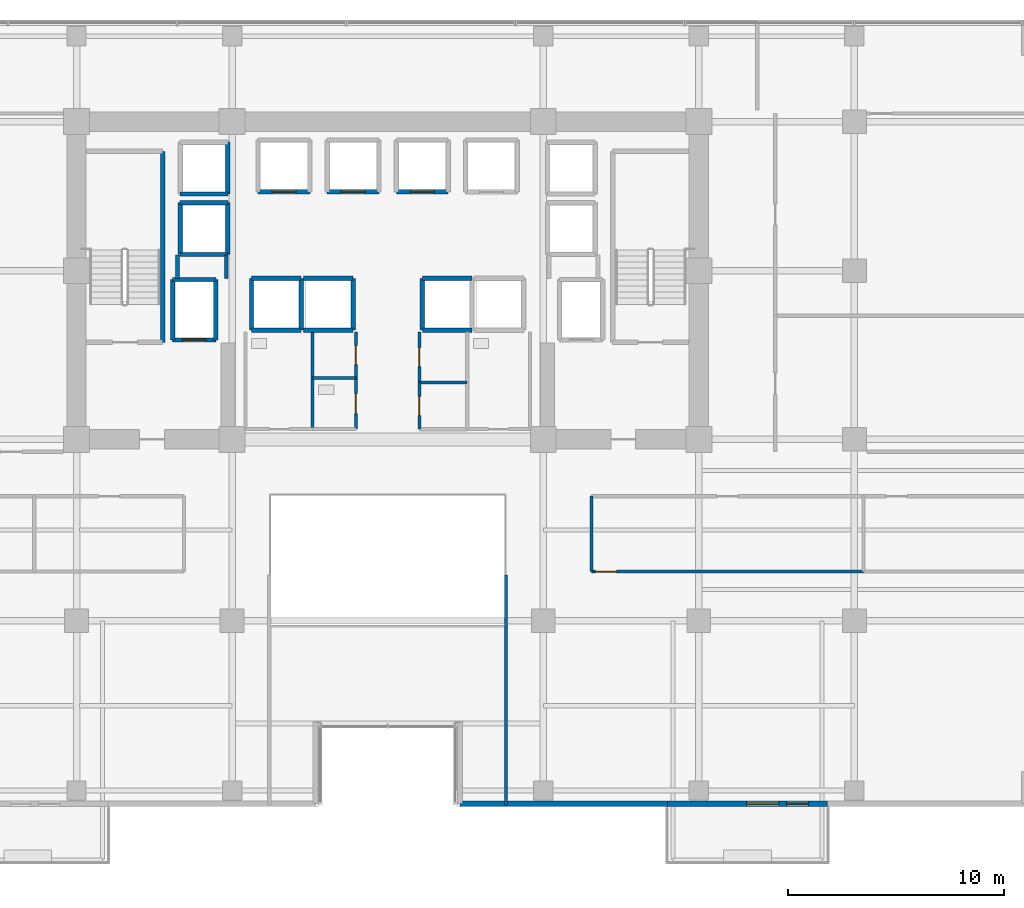
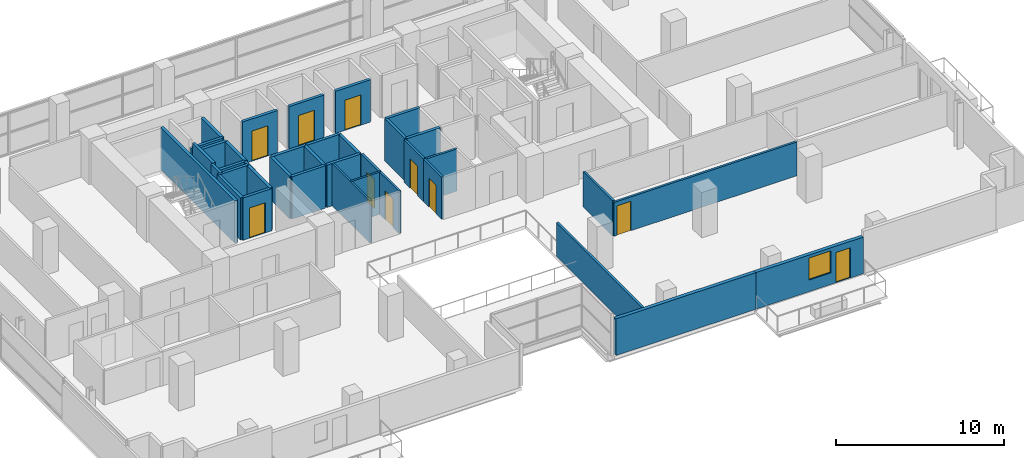
# One storey, part 20 of 26: 38 walls, 10 doors, 1 window, 11 openings.
"""IFC4 building model written with IfcOpenShell, lengths in metres."""

from ifc_helpers import new_model, si_unit, direction, frame, frame_2d, origin, place, context, subcontext, project, spatial, rectangle, extrude, source, transform, mapped, material, layer, layer_set, type_object, element, fill, save


model = new_model("IFC4")

# Units and contexts
model_context = context("Model", 3, precision=1e-05, world=origin(), true_north=direction((0.0, 1.0)))
body_context = subcontext(model_context, "Body", "Model", "MODEL_VIEW")
ifc_project = project(units=[si_unit("LENGTHUNIT", "METRE"), si_unit("AREAUNIT", "SQUARE_METRE"), si_unit("VOLUMEUNIT", "CUBIC_METRE"), si_unit("PLANEANGLEUNIT", "RADIAN"), si_unit("MASSUNIT", "GRAM", prefix="KILO")], contexts=[model_context])

# Site, building, storey
site_placement = place(None, origin())
site = spatial("IfcSite", under=ifc_project, at=site_placement, CompositionType="ELEMENT")
building_placement = place(site_placement, origin())
building = spatial("IfcBuilding", under=site, at=building_placement, Name="Zarnakvel Exchange Tower", CompositionType="ELEMENT")
storey_placement = place(building_placement, frame((0.0, 0.0, 70.300048828125)))
storey = spatial("IfcBuildingStorey", under=building, at=storey_placement, Name="L19", CompositionType="ELEMENT", Elevation=70.300048828125)

# Wall, openings, door, window
ifc_material_1 = material(Name="Precast concrete C40/50", Category="concrete")
ifc_layer_1 = layer(ifc_material_1, 0.239990234375)
ifc_layer_set_1 = layer_set([ifc_layer_1], Name="Precast concrete C40/50")
wall_type_1 = type_object("IfcWallType", Name="EW-02", PredefinedType="SOLIDWALL", material=ifc_layer_set_1)
wall_1_placement = place(storey_placement, frame((20.35009765625, -18.06005859375, 0.0), z_axis=(0.0, 0.0, 1.0), x_axis=(-1.0, 0.0, 0.0)))
wall_1 = element("IfcWall", 1, at=wall_1_placement, inside=storey, type_object=wall_type_1, Name="L19 Exterior Precast Spandrel Wall EW-BAL-L19-SE (EW-02)", PredefinedType="SOLIDWALL", context=body_context, shape_type="SweptSolid", body=[
    extrude(rectangle(XDim=7.400146484375, YDim=0.239990234375, at=frame_2d((3.7001953125, 0.0))), origin(), (0.0, 0.0, 1.0), 2.6650390625),
])
opening_1_placement = place(wall_1_placement, frame((0.887939453125, 0.0, 0.0)))
opening_1 = element("IfcOpeningElement", 2, at=opening_1_placement, cuts=wall_1, Name="Opening BD-L19-02", PredefinedType="OPENING", context=body_context, shape_type="SweptSolid", body=[
    extrude(rectangle(XDim=1.0, YDim=2.199951171875, at=frame_2d((0.5, 1.10009765625))), frame((0.0, 0.1298828125, 0.0), z_axis=(0.0, -1.0, 0.0), x_axis=(1.0, 0.0, 0.0)), (0.0, 0.0, 1.0), 0.260009765625),
])
opening_2_placement = place(wall_1_placement, frame((2.238037109375, 0.0, 0.85009765625)))
opening_2 = element("IfcOpeningElement", 3, at=opening_2_placement, cuts=wall_1, Name="Opening WN-03", PredefinedType="OPENING", context=body_context, shape_type="SweptSolid", body=[
    extrude(rectangle(XDim=1.5, YDim=1.60009765625, at=frame_2d((0.75, 0.800048828125))), frame((0.0, 0.1298828125, 0.0), z_axis=(0.0, -1.0, 0.0), x_axis=(1.0, 0.0, 0.0)), (0.0, 0.0, 1.0), 0.260009765625),
])
ifc_material_2 = material(Name="Architectural Bronze Anodised Aluminium", Category="aluminium")
door_type_1 = type_object("IfcDoorType", Name="DT-09", OperationType="NOTDEFINED", PredefinedType="DOOR", material=ifc_material_2)
shared_shape_1 = source(origin(), body_context, "Body", "SweptSolid", [
    extrude(rectangle(XDim=1.0, YDim=2.199951171875, at=frame_2d((0.5, 1.10009765625))), frame((0.0, 0.02490234375, 0.0), z_axis=(0.0, -1.0, 0.0), x_axis=(1.0, 0.0, 0.0)), (0.0, 0.0, 1.0), 0.050048828125),
])
door_1_placement = place(opening_1_placement, origin())
door_1 = element("IfcDoor", 4, at=door_1_placement, inside=storey, type_object=door_type_1, Name="L19 Planted Loggia Balcony Door BD-L19-02", OperationType="SINGLE_SWING_RIGHT", OverallHeight=2.199951171875, OverallWidth=1.0, PredefinedType="DOOR", context=body_context, shape_type="MappedRepresentation", body=[
    mapped(shared_shape_1, transform((0.0, 0.0, 0.0), x_axis=(1.0, 0.0, 0.0), y_axis=(0.0, 1.0, 0.0), z_axis=(0.0, 0.0, 1.0), scale=1.0)),
])
fill(opening_1, door_1)
ifc_material_3 = material(Name="Double Low-E Laminated Vision Glass", Category="glass")
window_type = type_object("IfcWindowType", Name="WN-03", PartitioningType="SINGLE_PANEL", PredefinedType="WINDOW", material=ifc_material_3)
shared_shape_2 = source(origin(), body_context, "Body", "SweptSolid", [
    extrude(rectangle(XDim=1.5, YDim=1.60009765625, at=frame_2d((0.75, 0.800048828125))), frame((0.0, 0.030029296875, 0.0), z_axis=(0.0, -1.0, 0.0), x_axis=(1.0, 0.0, 0.0)), (0.0, 0.0, 1.0), 0.06005859375),
])
window_placement = place(opening_2_placement, origin())
window = element("IfcWindow", 5, at=window_placement, inside=storey, type_object=window_type, Name="L19 Loggia Daylight Window (WN-03)", OverallHeight=1.60009765625, OverallWidth=1.5, PartitioningType="SINGLE_PANEL", PredefinedType="WINDOW", context=body_context, shape_type="MappedRepresentation", body=[
    mapped(shared_shape_2, transform((0.0, 0.0, 0.0), x_axis=(1.0, 0.0, 0.0), y_axis=(0.0, 1.0, 0.0), z_axis=(0.0, 0.0, 1.0), scale=1.0)),
])
fill(opening_2, window)

# Wall
wall_2_placement = place(storey_placement, frame((3.340087890625, -18.06005859375, 0.0), z_axis=(0.0, 0.0, 1.0), x_axis=(1.0, 0.0, 0.0)))
element("IfcWall", 6, at=wall_2_placement, inside=storey, type_object=wall_type_1, Name="L19 Exterior Precast Spandrel Wall EWC-L19-16 (EW-02)", PredefinedType="SOLIDWALL", context=body_context, shape_type="SweptSolid", body=[
    extrude(rectangle(XDim=9.60986328125, YDim=0.239990234375, at=frame_2d((4.804931640625, 0.0))), origin(), (0.0, 0.0, 1.0), 2.6650390625),
])

# Wall, opening, door
ifc_material_4 = material(Name="Fire-Rated Gypsum Stud Partition", Category="gypsum")
ifc_layer_2 = layer(ifc_material_4, 0.14990234375)
ifc_layer_set_2 = layer_set([ifc_layer_2], Name="Fire-Rated Gypsum Stud Partition")
wall_type_2 = type_object("IfcWallType", Name="PT-01", PredefinedType="PARTITIONING", material=ifc_layer_set_2)
wall_3_placement = place(storey_placement, frame((-1.469970703125, 3.760009765625, 0.0), z_axis=(0.0, 0.0, 1.0), x_axis=(0.0, -1.0, 0.0)))
wall_3 = element("IfcWall", 7, at=wall_3_placement, inside=storey, type_object=wall_type_2, Name="L19 Partition Wall PWALL-L19-017 (PT-01)", PredefinedType="PARTITIONING", context=body_context, shape_type="SweptSolid", body=[
    extrude(rectangle(XDim=2.130126953125, YDim=0.14990234375, at=frame_2d((1.06494140625, 0.0))), origin(), (0.0, 0.0, 1.0), 3.074951171875),
])
opening_3_placement = place(wall_3_placement, frame((0.6201171875, 0.0, 0.0)))
opening_3 = element("IfcOpeningElement", 8, at=opening_3_placement, cuts=wall_3, Name="Opening D-L19-07", PredefinedType="OPENING", context=body_context, shape_type="SweptSolid", body=[
    extrude(rectangle(XDim=0.8798828125, YDim=2.10009765625, at=frame_2d((0.43994140625, 1.050048828125))), frame((0.0, 0.0849609375, 0.0), z_axis=(0.0, -1.0, 0.0), x_axis=(1.0, 0.0, 0.0)), (0.0, 0.0, 1.0), 0.169921875),
])
ifc_material_5 = material(Name="Painted Galvanised Steel S355", Category="steel")
door_type_2 = type_object("IfcDoorType", Name="DT-08", OperationType="NOTDEFINED", PredefinedType="DOOR", material=ifc_material_5)
shared_shape_3 = source(origin(), body_context, "Body", "SweptSolid", [
    extrude(rectangle(XDim=0.8798828125, YDim=2.10009765625, at=frame_2d((0.43994140625, 1.050048828125))), frame((0.0, 0.02490234375, 0.0), z_axis=(0.0, -1.0, 0.0), x_axis=(1.0, 0.0, 0.0)), (0.0, 0.0, 1.0), 0.050048828125),
])
door_2_placement = place(opening_3_placement, origin())
door_2 = element("IfcDoor", 9, at=door_2_placement, inside=storey, type_object=door_type_2, Name="L19 Core Comms Room Door D-L19-07", OperationType="SINGLE_SWING_LEFT", OverallHeight=2.10009765625, OverallWidth=0.8798828125, PredefinedType="DOOR", context=body_context, shape_type="MappedRepresentation", body=[
    mapped(shared_shape_3, transform((0.0, 0.0, 0.0), x_axis=(1.0, 0.0, 0.0), y_axis=(0.0, 1.0, 0.0), z_axis=(0.0, 0.0, 1.0), scale=1.0)),
])
fill(opening_3, door_2)

# Wall
wall_4_placement = place(storey_placement, frame((1.469970703125, 1.429931640625, 0.0), z_axis=(0.0, 0.0, 1.0), x_axis=(1.0, 0.0, 0.0)))
element("IfcWall", 10, at=wall_4_placement, inside=storey, type_object=wall_type_2, Name="L19 Partition Wall PWALL-L19-019 (PT-01)", PredefinedType="PARTITIONING", context=body_context, shape_type="SweptSolid", body=[
    extrude(rectangle(XDim=2.2099609375, YDim=0.14990234375, at=frame_2d((1.10498046875, 0.0))), origin(), (0.0, 0.0, 1.0), 3.074951171875),
])

# Wall, opening, door
wall_5_placement = place(storey_placement, frame((1.469970703125, -0.72998046875, 0.0), z_axis=(0.0, 0.0, 1.0), x_axis=(0.0, 1.0, 0.0)))
wall_5 = element("IfcWall", 11, at=wall_5_placement, inside=storey, type_object=wall_type_2, Name="L19 Partition Wall PWALL-L19-020 (PT-01)", PredefinedType="PARTITIONING", context=body_context, shape_type="SweptSolid", body=[
    extrude(rectangle(XDim=2.159912109375, YDim=0.14990234375, at=frame_2d((1.080078125, 0.0))), origin(), (0.0, 0.0, 1.0), 3.074951171875),
])
opening_4_placement = place(wall_5_placement, frame((0.639892578125, 0.0, 0.0)))
opening_4 = element("IfcOpeningElement", 12, at=opening_4_placement, cuts=wall_5, Name="Opening D-L19-08", PredefinedType="OPENING", context=body_context, shape_type="SweptSolid", body=[
    extrude(rectangle(XDim=0.8798828125, YDim=2.10009765625, at=frame_2d((0.43994140625, 1.050048828125))), frame((0.0, 0.0849609375, 0.0), z_axis=(0.0, -1.0, 0.0), x_axis=(1.0, 0.0, 0.0)), (0.0, 0.0, 1.0), 0.169921875),
])
door_3_placement = place(opening_4_placement, origin())
door_3 = element("IfcDoor", 13, at=door_3_placement, inside=storey, type_object=door_type_2, Name="L19 Janitor Store Door D-L19-08", OperationType="SINGLE_SWING_RIGHT", OverallHeight=2.10009765625, OverallWidth=0.8798828125, PredefinedType="DOOR", context=body_context, shape_type="MappedRepresentation", body=[
    mapped(shared_shape_3, transform((0.0, 0.0, 0.0), x_axis=(1.0, 0.0, 0.0), y_axis=(0.0, 1.0, 0.0), z_axis=(0.0, 0.0, 1.0), scale=1.0)),
])
fill(opening_4, door_3)

wall_6_placement = place(storey_placement, frame((1.469970703125, 1.429931640625, 0.0), z_axis=(0.0, 0.0, 1.0), x_axis=(0.0, 1.0, 0.0)))
wall_6 = element("IfcWall", 14, at=wall_6_placement, inside=storey, type_object=wall_type_2, Name="L19 Partition Wall PWALL-L19-022 (PT-01)", PredefinedType="PARTITIONING", context=body_context, shape_type="SweptSolid", body=[
    extrude(rectangle(XDim=2.330078125, YDim=0.14990234375, at=frame_2d((1.1650390625, 0.0))), origin(), (0.0, 0.0, 1.0), 3.074951171875),
])
opening_5_placement = place(wall_6_placement, frame((0.72998046875, 0.0, 0.0)))
opening_5 = element("IfcOpeningElement", 15, at=opening_5_placement, cuts=wall_6, Name="Opening D-L19-09", PredefinedType="OPENING", context=body_context, shape_type="SweptSolid", body=[
    extrude(rectangle(XDim=0.8798828125, YDim=2.14990234375, at=frame_2d((0.43994140625, 1.074951171875))), frame((0.0, 0.0849609375, 0.0), z_axis=(0.0, -1.0, 0.0), x_axis=(1.0, 0.0, 0.0)), (0.0, 0.0, 1.0), 0.169921875),
])
ifc_material_6 = material(Name="Timber Acoustic Veneer", Category="wood")
door_type_3 = type_object("IfcDoorType", Name="DT-05", OperationType="NOTDEFINED", PredefinedType="DOOR", material=ifc_material_6)
shared_shape_4 = source(origin(), body_context, "Body", "SweptSolid", [
    extrude(rectangle(XDim=0.8798828125, YDim=2.14990234375, at=frame_2d((0.43994140625, 1.074951171875))), frame((0.0, 0.02490234375, 0.0), z_axis=(0.0, -1.0, 0.0), x_axis=(1.0, 0.0, 0.0)), (0.0, 0.0, 1.0), 0.050048828125),
])
door_4_placement = place(opening_5_placement, origin())
door_4 = element("IfcDoor", 16, at=door_4_placement, inside=storey, type_object=door_type_3, Name="L19 Stationery Store Door D-L19-09", OperationType="SINGLE_SWING_LEFT", OverallHeight=2.14990234375, OverallWidth=0.8798828125, PredefinedType="DOOR", context=body_context, shape_type="MappedRepresentation", body=[
    mapped(shared_shape_4, transform((0.0, 0.0, 0.0), x_axis=(1.0, 0.0, 0.0), y_axis=(0.0, 1.0, 0.0), z_axis=(0.0, 0.0, 1.0), scale=1.0)),
])
fill(opening_5, door_4)

wall_7_placement = place(storey_placement, frame((22.015380859375, -7.320068359375, 0.0), z_axis=(0.0, 0.0, 1.0), x_axis=(-1.0, 0.0, 0.0)))
wall_7 = element("IfcWall", 17, at=wall_7_placement, inside=storey, type_object=wall_type_2, Name="L19 Partition Wall PWALL-L19-039 (PT-01)", PredefinedType="PARTITIONING", context=body_context, shape_type="SweptSolid", body=[
    extrude(rectangle(XDim=12.58544921875, YDim=0.14990234375, at=frame_2d((6.292724609375, 0.0))), origin(), (0.0, 0.0, 1.0), 2.46484375),
])
opening_6_placement = place(wall_7_placement, frame((11.425537109375, 0.0, 0.0)))
opening_6 = element("IfcOpeningElement", 18, at=opening_6_placement, cuts=wall_7, Name="Opening D-L19-17", PredefinedType="OPENING", context=body_context, shape_type="SweptSolid", body=[
    extrude(rectangle(XDim=0.97998046875, YDim=2.14990234375, at=frame_2d((0.489990234375, 1.074951171875))), frame((0.0, 0.0849609375, 0.0), z_axis=(0.0, -1.0, 0.0), x_axis=(1.0, 0.0, 0.0)), (0.0, 0.0, 1.0), 0.169921875),
])
shared_shape_5 = source(origin(), body_context, "Body", "SweptSolid", [
    extrude(rectangle(XDim=0.97998046875, YDim=2.14990234375, at=frame_2d((0.489990234375, 1.074951171875))), frame((0.0, 0.02490234375, 0.0), z_axis=(0.0, -1.0, 0.0), x_axis=(1.0, 0.0, 0.0)), (0.0, 0.0, 1.0), 0.050048828125),
])
door_5_placement = place(opening_6_placement, origin())
door_5 = element("IfcDoor", 19, at=door_5_placement, inside=storey, type_object=door_type_3, Name="L19 Asset Management Office Door D-L19-17", OperationType="SINGLE_SWING_LEFT", OverallHeight=2.14990234375, OverallWidth=0.97998046875, PredefinedType="DOOR", context=body_context, shape_type="MappedRepresentation", body=[
    mapped(shared_shape_5, transform((0.0, 0.0, 0.0), x_axis=(1.0, 0.0, 0.0), y_axis=(0.0, 1.0, 0.0), z_axis=(0.0, 0.0, 1.0), scale=1.0)),
])
fill(opening_6, door_5)

# Walls
wall_8_placement = place(storey_placement, frame((9.429931640625, -7.320068359375, 0.0), z_axis=(0.0, 0.0, 1.0), x_axis=(0.0, 1.0, 0.0)))
element("IfcWall", 20, at=wall_8_placement, inside=storey, type_object=wall_type_2, Name="L19 Partition Wall PWALL-L19-041 (PT-01)", PredefinedType="PARTITIONING", context=body_context, shape_type="SweptSolid", body=[
    extrude(rectangle(XDim=3.489990234375, YDim=0.14990234375, at=frame_2d((1.7451171875, 0.0))), origin(), (0.0, 0.0, 1.0), 2.56494140625),
])
wall_9_placement = place(storey_placement, frame((5.47998046875, -18.1298828125, 0.0), z_axis=(0.0, 0.0, 1.0), x_axis=(0.0, 1.0, 0.0)))
element("IfcWall", 21, at=wall_9_placement, inside=storey, type_object=wall_type_2, Name="L19 Partition Wall PWALL-L19-047 (PT-01)", PredefinedType="PARTITIONING", context=body_context, shape_type="SweptSolid", body=[
    extrude(rectangle(XDim=10.64990234375, YDim=0.14990234375, at=frame_2d((5.324951171875, 0.0))), origin(), (0.0, 0.0, 1.0), 2.46484375),
])
ifc_layer_3 = layer(ifc_material_4, 0.179931640625)
ifc_layer_set_3 = layer_set([ifc_layer_3], Name="Fire-Rated Gypsum Stud Partition")
wall_type_3 = type_object("IfcWallType", Name="PT-02", PredefinedType="PARTITIONING", material=ifc_layer_set_3)
wall_10_placement = place(storey_placement, frame((-9.72998046875, 6.239990234375, 0.0), z_axis=(0.0, 0.0, 1.0), x_axis=(0.0, 1.0, 0.0)))
element("IfcWall", 22, at=wall_10_placement, inside=storey, type_object=wall_type_3, Name="L19 Partition Wall PWALL-L19-007 (PT-02)", PredefinedType="PARTITIONING", context=body_context, shape_type="SweptSolid", body=[
    extrude(rectangle(XDim=1.090087890625, YDim=0.179931640625, at=frame_2d((0.544921875, 0.0))), origin(), (0.0, 0.0, 1.0), 3.074951171875),
])
wall_11_placement = place(storey_placement, frame((-7.469970703125, 7.330078125, 0.0), z_axis=(0.0, 0.0, 1.0), x_axis=(0.0, -1.0, 0.0)))
element("IfcWall", 23, at=wall_11_placement, inside=storey, type_object=wall_type_3, Name="L19 Partition Wall PWALL-L19-008 (PT-02)", PredefinedType="PARTITIONING", context=body_context, shape_type="SweptSolid", body=[
    extrude(rectangle(XDim=1.090087890625, YDim=0.179931640625, at=frame_2d((0.544921875, 0.0))), origin(), (0.0, 0.0, 1.0), 2.46484375),
])
ifc_material_7 = material(Name="Moisture-Resistant Tile-Faced Partition", Category="gypsum")
ifc_layer_4 = layer(ifc_material_7, 0.135009765625)
ifc_layer_set_4 = layer_set([ifc_layer_4], Name="Moisture-Resistant Tile-Faced Partition")
wall_type_4 = type_object("IfcWallType", Name="PT-03", PredefinedType="PARTITIONING", material=ifc_layer_set_4)
wall_12_placement = place(storey_placement, frame((-3.469970703125, 3.760009765625, 0.0), z_axis=(0.0, 0.0, 1.0), x_axis=(0.0, -1.0, 0.0)))
element("IfcWall", 24, at=wall_12_placement, inside=storey, type_object=wall_type_4, Name="L19 Partition Wall PWALL-L19-013 (PT-03)", PredefinedType="PARTITIONING", context=body_context, shape_type="SweptSolid", body=[
    extrude(rectangle(XDim=4.489990234375, YDim=0.135009765625, at=frame_2d((2.2451171875, 0.0))), origin(), (0.0, 0.0, 1.0), 3.074951171875),
])
wall_13_placement = place(storey_placement, frame((-3.469970703125, 1.6298828125, 0.0), z_axis=(0.0, 0.0, 1.0), x_axis=(1.0, 0.0, 0.0)))
element("IfcWall", 25, at=wall_13_placement, inside=storey, type_object=wall_type_4, Name="L19 Partition Wall PWALL-L19-015 (PT-03)", PredefinedType="PARTITIONING", context=body_context, shape_type="SweptSolid", body=[
    extrude(rectangle(XDim=2.0, YDim=0.135009765625, at=frame_2d((1.0, 0.0))), origin(), (0.0, 0.0, 1.0), 3.074951171875),
])

# Wall, opening, door
wall_14_placement = place(storey_placement, frame((-1.469970703125, 1.6298828125, 0.0), z_axis=(0.0, 0.0, 1.0), x_axis=(0.0, -1.0, 0.0)))
wall_14 = element("IfcWall", 26, at=wall_14_placement, inside=storey, type_object=wall_type_4, Name="L19 Partition Wall PWALL-L19-016 (PT-03)", PredefinedType="PARTITIONING", context=body_context, shape_type="SweptSolid", body=[
    extrude(rectangle(XDim=2.35986328125, YDim=0.135009765625, at=frame_2d((1.179931640625, 0.0))), origin(), (0.0, 0.0, 1.0), 3.074951171875),
])
opening_7_placement = place(wall_14_placement, frame((0.719970703125, 0.0, 0.0)))
opening_7 = element("IfcOpeningElement", 27, at=opening_7_placement, cuts=wall_14, Name="Opening D-L19-06", PredefinedType="OPENING", context=body_context, shape_type="SweptSolid", body=[
    extrude(rectangle(XDim=0.919921875, YDim=2.10009765625, at=frame_2d((0.4599609375, 1.050048828125))), frame((0.0, 0.077392578125, 0.0), z_axis=(0.0, -1.0, 0.0), x_axis=(1.0, 0.0, 0.0)), (0.0, 0.0, 1.0), 0.155029296875),
])
ifc_material_8 = material(Name="Moisture-Resistant Laminate Timber", Category="wood")
door_type_4 = type_object("IfcDoorType", Name="DT-07", OperationType="NOTDEFINED", PredefinedType="DOOR", material=ifc_material_8)
shared_shape_6 = source(origin(), body_context, "Body", "SweptSolid", [
    extrude(rectangle(XDim=0.919921875, YDim=2.10009765625, at=frame_2d((0.4599609375, 1.050048828125))), frame((0.0, 0.02490234375, 0.0), z_axis=(0.0, -1.0, 0.0), x_axis=(1.0, 0.0, 0.0)), (0.0, 0.0, 1.0), 0.050048828125),
])
door_6_placement = place(opening_7_placement, origin())
door_6 = element("IfcDoor", 28, at=door_6_placement, inside=storey, type_object=door_type_4, Name="L19 Accessible Toilet Door D-L19-06", OperationType="SINGLE_SWING_RIGHT", OverallHeight=2.10009765625, OverallWidth=0.919921875, PredefinedType="DOOR", context=body_context, shape_type="MappedRepresentation", body=[
    mapped(shared_shape_6, transform((0.0, 0.0, 0.0), x_axis=(1.0, 0.0, 0.0), y_axis=(0.0, 1.0, 0.0), z_axis=(0.0, 0.0, 1.0), scale=1.0)),
])
fill(opening_7, door_6)

ifc_material_9 = material(Name="Concrete C40/50", Category="concrete")
ifc_layer_5 = layer(ifc_material_9, 0.199951171875)
ifc_layer_set_5 = layer_set([ifc_layer_5], Name="Concrete C40/50")
wall_type_5 = type_object("IfcWallType", Name="SW-01", PredefinedType="SOLIDWALL", material=ifc_layer_set_5)
wall_15_placement = place(storey_placement, frame((-7.949951171875, 3.39990234375, 0.0), z_axis=(0.0, 0.0, 1.0), x_axis=(-1.0, 0.0, 0.0)))
wall_15 = element("IfcWall", 29, at=wall_15_placement, inside=storey, type_object=wall_type_5, Name="L19 FL-01 Hoistway Wall South", PredefinedType="SOLIDWALL", context=body_context, shape_type="SweptSolid", body=[
    extrude(rectangle(XDim=2.0, YDim=0.199951171875, at=frame_2d((1.0, 0.0))), origin(), (0.0, 0.0, 1.0), 3.074951171875),
])
opening_8_placement = place(wall_15_placement, frame((0.449951171875, 0.0, 0.0)))
opening_8 = element("IfcOpeningElement", 30, at=opening_8_placement, cuts=wall_15, Name="Opening LD-FL-01-L19", PredefinedType="OPENING", context=body_context, shape_type="SweptSolid", body=[
    extrude(rectangle(XDim=1.10009765625, YDim=2.199951171875, at=frame_2d((0.550048828125, 1.10009765625))), frame((0.0, 0.10986328125, 0.0), z_axis=(0.0, -1.0, 0.0), x_axis=(1.0, 0.0, 0.0)), (0.0, 0.0, 1.0), 0.219970703125),
])
ifc_material_10 = material(Name="Brushed Stainless Steel", Category="steel")
door_type_5 = type_object("IfcDoorType", Name="LDT-01", OperationType="NOTDEFINED", PredefinedType="DOOR", material=ifc_material_10)
shared_shape_7 = source(origin(), body_context, "Body", "SweptSolid", [
    extrude(rectangle(XDim=1.10009765625, YDim=2.199951171875, at=frame_2d((0.550048828125, 1.10009765625))), frame((0.0, 0.02490234375, 0.0), z_axis=(0.0, -1.0, 0.0), x_axis=(1.0, 0.0, 0.0)), (0.0, 0.0, 1.0), 0.050048828125),
])
door_7_placement = place(opening_8_placement, origin())
door_7 = element("IfcDoor", 31, at=door_7_placement, inside=storey, type_object=door_type_5, Name="L19 FL-01 Lift Landing Door LD-FL-01-L19", OperationType="DOUBLE_DOOR_SLIDING", OverallHeight=2.199951171875, OverallWidth=1.10009765625, PredefinedType="DOOR", context=body_context, shape_type="MappedRepresentation", body=[
    mapped(shared_shape_7, transform((0.0, 0.0, 0.0), x_axis=(1.0, 0.0, 0.0), y_axis=(0.0, 1.0, 0.0), z_axis=(0.0, 0.0, 1.0), scale=1.0)),
])
fill(opening_8, door_7)

# Walls
wall_16_placement = place(storey_placement, frame((-9.949951171875, 6.199951171875, 0.0), z_axis=(0.0, 0.0, 1.0), x_axis=(1.0, 0.0, 0.0)))
element("IfcWall", 32, at=wall_16_placement, inside=storey, type_object=wall_type_5, Name="L19 FL-01 Hoistway Wall North", PredefinedType="SOLIDWALL", context=body_context, shape_type="SweptSolid", body=[
    extrude(rectangle(XDim=2.0, YDim=0.199951171875, at=frame_2d((1.0, 0.0))), origin(), (0.0, 0.0, 1.0), 3.074951171875),
])
for number, where, z_axis, x_axis, name in (
    (33, (-9.949951171875, 3.39990234375, 0.0), (0.0, 0.0, 1.0), (0.0, 1.0, 0.0), "L19 FL-01 Hoistway Wall West"),
    (34, (-7.949951171875, 6.199951171875, 0.0), (0.0, 0.0, 1.0), (0.0, -1.0, 0.0), "L19 FL-01 Hoistway Wall East"),
):
    element("IfcWall", number, at=place(storey_placement, frame(where, z_axis=z_axis, x_axis=x_axis)), inside=storey, type_object=wall_type_5, Name=name, PredefinedType="SOLIDWALL", context=body_context, shape_type="SweptSolid", body=[
        extrude(rectangle(XDim=2.800048828125, YDim=0.199951171875, at=frame_2d((1.39990234375, 0.0))), origin(), (0.0, 0.0, 1.0), 3.074951171875),
    ])

# Wall, opening, door
wall_17_placement = place(storey_placement, frame((-3.60009765625, 10.25, 0.0), z_axis=(0.0, 0.0, 1.0), x_axis=(-1.0, 0.0, 0.0)))
wall_17 = element("IfcWall", 35, at=wall_17_placement, inside=storey, type_object=wall_type_5, Name="L19 PL-01 Hoistway Wall South", PredefinedType="SOLIDWALL", context=body_context, shape_type="SweptSolid", body=[
    extrude(rectangle(XDim=2.39990234375, YDim=0.199951171875, at=frame_2d((1.199951171875, 0.0))), origin(), (0.0, 0.0, 1.0), 3.074951171875),
])
opening_9_placement = place(wall_17_placement, frame((0.64990234375, 0.0, 0.0)))
opening_9 = element("IfcOpeningElement", 36, at=opening_9_placement, cuts=wall_17, Name="Opening LD-PL-01-L19", PredefinedType="OPENING", context=body_context, shape_type="SweptSolid", body=[
    extrude(rectangle(XDim=1.10009765625, YDim=2.199951171875, at=frame_2d((0.550048828125, 1.10009765625))), frame((0.0, 0.10986328125, 0.0), z_axis=(0.0, -1.0, 0.0), x_axis=(1.0, 0.0, 0.0)), (0.0, 0.0, 1.0), 0.219970703125),
])
door_type_6 = type_object("IfcDoorType", Name="LDT-02", OperationType="NOTDEFINED", PredefinedType="DOOR", material=ifc_material_2)
door_8_placement = place(opening_9_placement, origin())
door_8 = element("IfcDoor", 37, at=door_8_placement, inside=storey, type_object=door_type_6, Name="L19 PL-01 Lift Landing Door LD-PL-01-L19", OperationType="DOUBLE_DOOR_SLIDING", OverallHeight=2.199951171875, OverallWidth=1.10009765625, PredefinedType="DOOR", context=body_context, shape_type="MappedRepresentation", body=[
    mapped(shared_shape_7, transform((0.0, 0.0, 0.0), x_axis=(1.0, 0.0, 0.0), y_axis=(0.0, 1.0, 0.0), z_axis=(0.0, 0.0, 1.0), scale=1.0)),
])
fill(opening_9, door_8)

wall_18_placement = place(storey_placement, frame((-0.39990234375, 10.25, 0.0), z_axis=(0.0, 0.0, 1.0), x_axis=(-1.0, 0.0, 0.0)))
wall_18 = element("IfcWall", 38, at=wall_18_placement, inside=storey, type_object=wall_type_5, Name="L19 PL-02 Hoistway Wall South", PredefinedType="SOLIDWALL", context=body_context, shape_type="SweptSolid", body=[
    extrude(rectangle(XDim=2.400146484375, YDim=0.199951171875, at=frame_2d((1.2001953125, 0.0))), origin(), (0.0, 0.0, 1.0), 3.074951171875),
])
opening_10_placement = place(wall_18_placement, frame((0.64990234375, 0.0, 0.0)))
opening_10 = element("IfcOpeningElement", 39, at=opening_10_placement, cuts=wall_18, Name="Opening LD-PL-02-L19", PredefinedType="OPENING", context=body_context, shape_type="SweptSolid", body=[
    extrude(rectangle(XDim=1.10009765625, YDim=2.199951171875, at=frame_2d((0.550048828125, 1.10009765625))), frame((0.0, 0.10986328125, 0.0), z_axis=(0.0, -1.0, 0.0), x_axis=(1.0, 0.0, 0.0)), (0.0, 0.0, 1.0), 0.219970703125),
])
door_9_placement = place(opening_10_placement, origin())
door_9 = element("IfcDoor", 40, at=door_9_placement, inside=storey, type_object=door_type_6, Name="L19 PL-02 Lift Landing Door LD-PL-02-L19", OperationType="DOUBLE_DOOR_SLIDING", OverallHeight=2.199951171875, OverallWidth=1.10009765625, PredefinedType="DOOR", context=body_context, shape_type="MappedRepresentation", body=[
    mapped(shared_shape_7, transform((0.0, 0.0, 0.0), x_axis=(1.0, 0.0, 0.0), y_axis=(0.0, 1.0, 0.0), z_axis=(0.0, 0.0, 1.0), scale=1.0)),
])
fill(opening_10, door_9)

wall_19_placement = place(storey_placement, frame((2.800048828125, 10.25, 0.0), z_axis=(0.0, 0.0, 1.0), x_axis=(-1.0, 0.0, 0.0)))
wall_19 = element("IfcWall", 41, at=wall_19_placement, inside=storey, type_object=wall_type_5, Name="L19 PL-03 Hoistway Wall South", PredefinedType="SOLIDWALL", context=body_context, shape_type="SweptSolid", body=[
    extrude(rectangle(XDim=2.400146484375, YDim=0.199951171875, at=frame_2d((1.2001953125, 0.0))), origin(), (0.0, 0.0, 1.0), 3.074951171875),
])
opening_11_placement = place(wall_19_placement, frame((0.64990234375, 0.0, 0.0)))
opening_11 = element("IfcOpeningElement", 42, at=opening_11_placement, cuts=wall_19, Name="Opening LD-PL-03-L19", PredefinedType="OPENING", context=body_context, shape_type="SweptSolid", body=[
    extrude(rectangle(XDim=1.10009765625, YDim=2.199951171875, at=frame_2d((0.550048828125, 1.10009765625))), frame((0.0, 0.10986328125, 0.0), z_axis=(0.0, -1.0, 0.0), x_axis=(1.0, 0.0, 0.0)), (0.0, 0.0, 1.0), 0.219970703125),
])
door_10_placement = place(opening_11_placement, origin())
door_10 = element("IfcDoor", 43, at=door_10_placement, inside=storey, type_object=door_type_6, Name="L19 PL-03 Lift Landing Door LD-PL-03-L19", OperationType="DOUBLE_DOOR_SLIDING", OverallHeight=2.199951171875, OverallWidth=1.10009765625, PredefinedType="DOOR", context=body_context, shape_type="MappedRepresentation", body=[
    mapped(shared_shape_7, transform((0.0, 0.0, 0.0), x_axis=(1.0, 0.0, 0.0), y_axis=(0.0, 1.0, 0.0), z_axis=(0.0, 0.0, 1.0), scale=1.0)),
])
fill(opening_11, door_10)

# Walls
for number, where, z_axis, x_axis, name in (
    (44, (-4.0, 3.85009765625, 0.0), (0.0, 0.0, 1.0), (-1.0, 0.0, 0.0), "L19 PL-05 Hoistway Wall South"),
    (45, (-6.300048828125, 6.25, 0.0), (0.0, 0.0, 1.0), (1.0, 0.0, 0.0), "L19 PL-05 Hoistway Wall North"),
):
    element("IfcWall", number, at=place(storey_placement, frame(where, z_axis=z_axis, x_axis=x_axis)), inside=storey, type_object=wall_type_5, Name=name, PredefinedType="SOLIDWALL", context=body_context, shape_type="SweptSolid", body=[
        extrude(rectangle(XDim=2.300048828125, YDim=0.199951171875, at=frame_2d((1.14990234375, 0.0))), origin(), (0.0, 0.0, 1.0), 3.074951171875),
    ])
for number, where, z_axis, x_axis, name in (
    (46, (-6.300048828125, 3.85009765625, 0.0), (0.0, 0.0, 1.0), (0.0, 1.0, 0.0), "L19 PL-05 Hoistway Wall West"),
    (47, (-4.0, 6.25, 0.0), (0.0, 0.0, 1.0), (0.0, -1.0, 0.0), "L19 PL-05 Hoistway Wall East"),
):
    element("IfcWall", number, at=place(storey_placement, frame(where, z_axis=z_axis, x_axis=x_axis)), inside=storey, type_object=wall_type_5, Name=name, PredefinedType="SOLIDWALL", context=body_context, shape_type="SweptSolid", body=[
        extrude(rectangle(XDim=2.39990234375, YDim=0.199951171875, at=frame_2d((1.199951171875, 0.0))), origin(), (0.0, 0.0, 1.0), 3.074951171875),
    ])
for number, where, z_axis, x_axis, name in (
    (48, (-1.60009765625, 3.85009765625, 0.0), (0.0, 0.0, 1.0), (-1.0, 0.0, 0.0), "L19 PL-06 Hoistway Wall South"),
    (49, (-3.89990234375, 6.25, 0.0), (0.0, 0.0, 1.0), (1.0, 0.0, 0.0), "L19 PL-06 Hoistway Wall North"),
):
    element("IfcWall", number, at=place(storey_placement, frame(where, z_axis=z_axis, x_axis=x_axis)), inside=storey, type_object=wall_type_5, Name=name, PredefinedType="SOLIDWALL", context=body_context, shape_type="SweptSolid", body=[
        extrude(rectangle(XDim=2.2998046875, YDim=0.199951171875, at=frame_2d((1.14990234375, 0.0))), origin(), (0.0, 0.0, 1.0), 3.074951171875),
    ])
wall_20_placement = place(storey_placement, frame((-1.60009765625, 6.25, 0.0), z_axis=(0.0, 0.0, 1.0), x_axis=(0.0, -1.0, 0.0)))
element("IfcWall", 50, at=wall_20_placement, inside=storey, type_object=wall_type_5, Name="L19 PL-06 Hoistway Wall East", PredefinedType="SOLIDWALL", context=body_context, shape_type="SweptSolid", body=[
    extrude(rectangle(XDim=2.39990234375, YDim=0.199951171875, at=frame_2d((1.199951171875, 0.0))), origin(), (0.0, 0.0, 1.0), 3.074951171875),
])
for number, where, z_axis, x_axis, name in (
    (51, (3.89990234375, 3.85009765625, 0.0), (0.0, 0.0, 1.0), (-1.0, 0.0, 0.0), "L19 PL-07 Hoistway Wall South"),
    (52, (1.60009765625, 6.25, 0.0), (0.0, 0.0, 1.0), (1.0, 0.0, 0.0), "L19 PL-07 Hoistway Wall North"),
):
    element("IfcWall", number, at=place(storey_placement, frame(where, z_axis=z_axis, x_axis=x_axis)), inside=storey, type_object=wall_type_5, Name=name, PredefinedType="SOLIDWALL", context=body_context, shape_type="SweptSolid", body=[
        extrude(rectangle(XDim=2.2998046875, YDim=0.199951171875, at=frame_2d((1.14990234375, 0.0))), origin(), (0.0, 0.0, 1.0), 3.074951171875),
    ])
wall_21_placement = place(storey_placement, frame((1.60009765625, 3.85009765625, 0.0), z_axis=(0.0, 0.0, 1.0), x_axis=(0.0, 1.0, 0.0)))
element("IfcWall", 53, at=wall_21_placement, inside=storey, type_object=wall_type_5, Name="L19 PL-07 Hoistway Wall West", PredefinedType="SOLIDWALL", context=body_context, shape_type="SweptSolid", body=[
    extrude(rectangle(XDim=2.39990234375, YDim=0.199951171875, at=frame_2d((1.199951171875, 0.0))), origin(), (0.0, 0.0, 1.0), 3.074951171875),
])
for number, where, z_axis, x_axis, name in (
    (54, (-7.39990234375, 7.35009765625, 0.0), (0.0, 0.0, 1.0), (-1.0, 0.0, 0.0), "L19 PL-09 Hoistway Wall South"),
    (55, (-9.60009765625, 9.75, 0.0), (0.0, 0.0, 1.0), (1.0, 0.0, 0.0), "L19 PL-09 Hoistway Wall North"),
):
    element("IfcWall", number, at=place(storey_placement, frame(where, z_axis=z_axis, x_axis=x_axis)), inside=storey, type_object=wall_type_5, Name=name, PredefinedType="SOLIDWALL", context=body_context, shape_type="SweptSolid", body=[
        extrude(rectangle(XDim=2.2001953125, YDim=0.199951171875, at=frame_2d((1.10009765625, 0.0))), origin(), (0.0, 0.0, 1.0), 2.46484375),
    ])
wall_22_placement = place(storey_placement, frame((-9.60009765625, 7.35009765625, 0.0), z_axis=(0.0, 0.0, 1.0), x_axis=(0.0, 1.0, 0.0)))
element("IfcWall", 56, at=wall_22_placement, inside=storey, type_object=wall_type_5, Name="L19 PL-09 Hoistway Wall West", PredefinedType="SOLIDWALL", context=body_context, shape_type="SweptSolid", body=[
    extrude(rectangle(XDim=2.39990234375, YDim=0.199951171875, at=frame_2d((1.199951171875, 0.0))), origin(), (0.0, 0.0, 1.0), 3.074951171875),
])
wall_23_placement = place(storey_placement, frame((-7.39990234375, 9.75, 0.0), z_axis=(0.0, 0.0, 1.0), x_axis=(0.0, -1.0, 0.0)))
element("IfcWall", 57, at=wall_23_placement, inside=storey, type_object=wall_type_5, Name="L19 PL-09 Hoistway Wall East", PredefinedType="SOLIDWALL", context=body_context, shape_type="SweptSolid", body=[
    extrude(rectangle(XDim=2.39990234375, YDim=0.199951171875, at=frame_2d((1.199951171875, 0.0))), origin(), (0.0, 0.0, 1.0), 2.46484375),
])
wall_24_placement = place(storey_placement, frame((-7.39990234375, 10.14990234375, 0.0), z_axis=(0.0, 0.0, 1.0), x_axis=(-1.0, 0.0, 0.0)))
element("IfcWall", 58, at=wall_24_placement, inside=storey, type_object=wall_type_5, Name="L19 PL-10 Hoistway Wall South", PredefinedType="SOLIDWALL", context=body_context, shape_type="SweptSolid", body=[
    extrude(rectangle(XDim=2.2001953125, YDim=0.199951171875, at=frame_2d((1.10009765625, 0.0))), origin(), (0.0, 0.0, 1.0), 2.46484375),
])
wall_25_placement = place(storey_placement, frame((-7.39990234375, 12.550048828125, 0.0), z_axis=(0.0, 0.0, 1.0), x_axis=(0.0, -1.0, 0.0)))
element("IfcWall", 59, at=wall_25_placement, inside=storey, type_object=wall_type_5, Name="L19 PL-10 Hoistway Wall East", PredefinedType="SOLIDWALL", context=body_context, shape_type="SweptSolid", body=[
    extrude(rectangle(XDim=2.400146484375, YDim=0.199951171875, at=frame_2d((1.2001953125, 0.0))), origin(), (0.0, 0.0, 1.0), 2.46484375),
])
ifc_layer_6 = layer(ifc_material_9, 0.199951171875)
ifc_layer_set_6 = layer_set([ifc_layer_6], Name="Concrete C40/50")
wall_type_6 = type_object("IfcWallType", Name="SW-02", PredefinedType="SOLIDWALL", material=ifc_layer_set_6)
wall_26_placement = place(storey_placement, frame((-10.409912109375, 12.1298828125, 0.0), z_axis=(0.0, 0.0, 1.0), x_axis=(0.0, -1.0, 0.0)))
element("IfcWall", 60, at=wall_26_placement, inside=storey, type_object=wall_type_6, Name="L19 Stairwell Core Wall PWALL-L19-003 (SW-02)", PredefinedType="SOLIDWALL", context=body_context, shape_type="SweptSolid", body=[
    extrude(rectangle(XDim=8.83984375, YDim=0.199951171875, at=frame_2d((4.419921875, 0.0))), origin(), (0.0, 0.0, 1.0), 3.074951171875),
])

save(model, "model.ifc")
